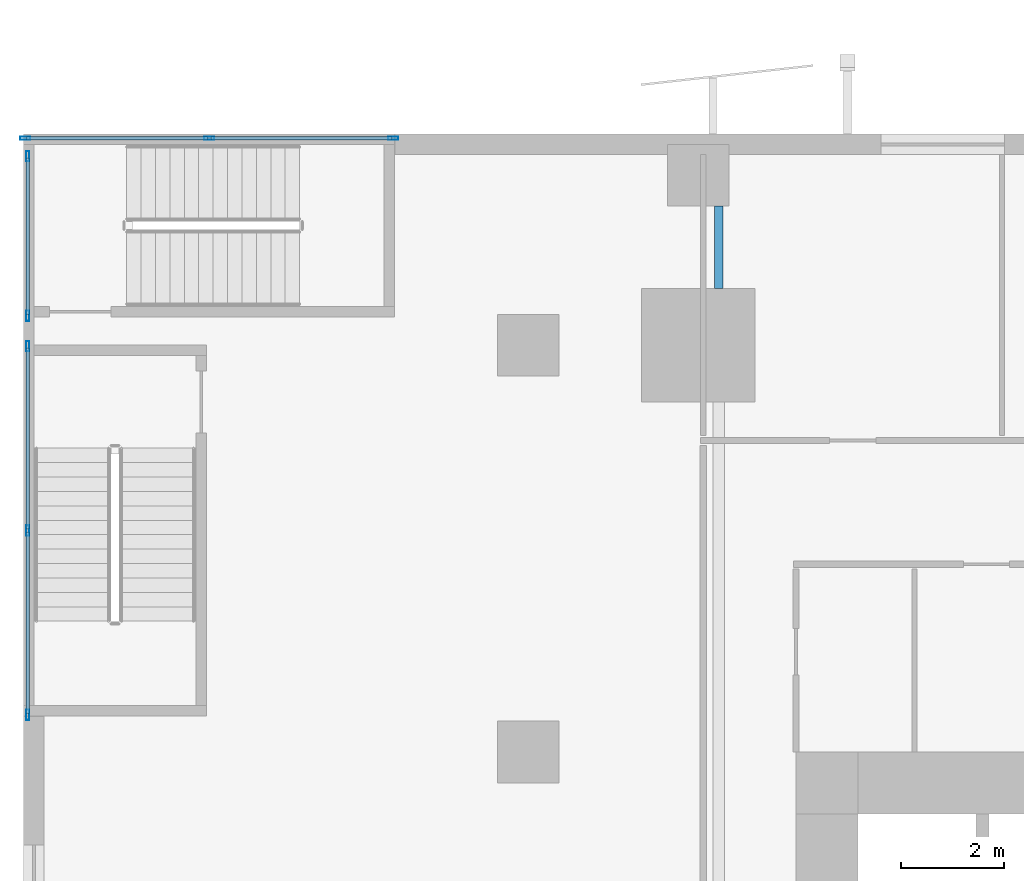
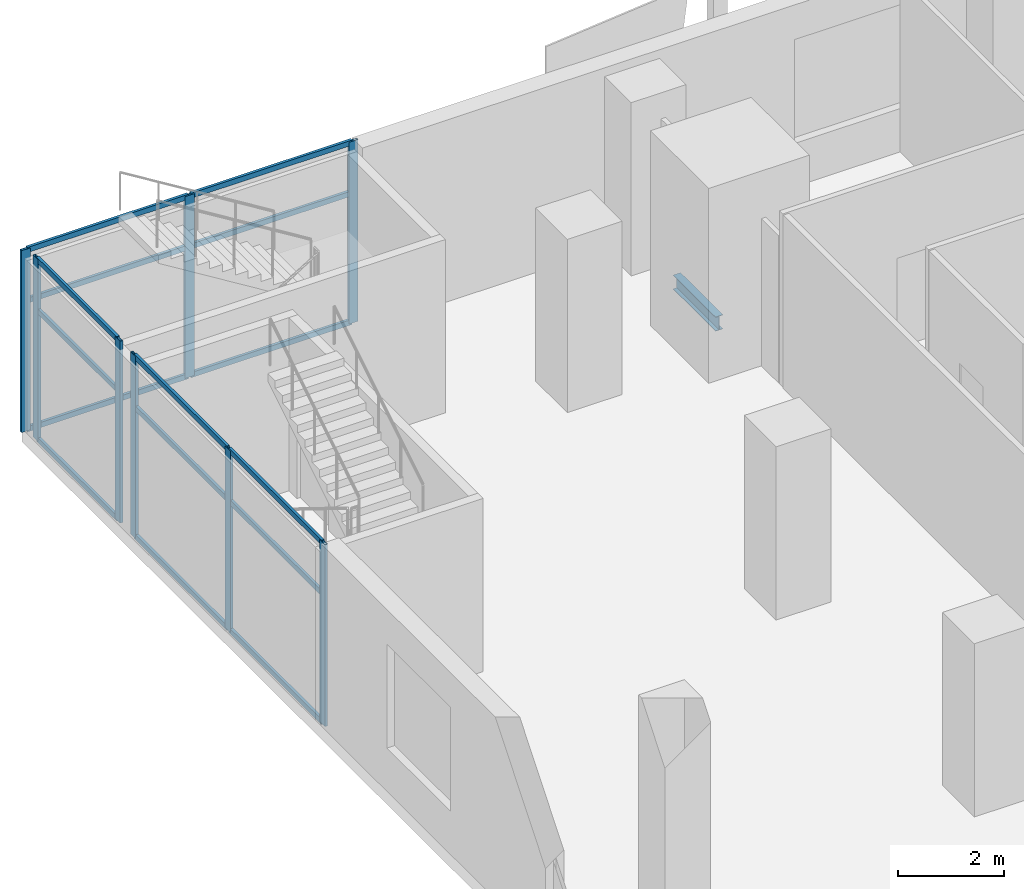
# One storey, part 4 of 21: 23 members, 1 beam, 3 elements without a shape of their own.
"""IFC4 building model written with IfcOpenShell, lengths in metres."""

import ifcopenshell
import ifcopenshell.guid

model = None  # the IFC model being written
_history = None  # IfcOwnerHistory: only IFC2X3 demands one
_inside = {}  # id of a spatial element -> (the spatial element, [elements in it])
_under = {}  # id of a project, library or spatial element -> (it, [spatial elements below it])
_declared = {}  # id of a project -> (the project, [libraries it declares])
_typed = {}  # id of a type object -> (the type object, [elements of that type])
_made_of = {}  # id of a material, layer set ... -> (it, [elements and type objects made of it])


def new_model(schema):
    """Start an empty IFC model of exactly this schema.

    Asked for "IFC4X3", IfcOpenShell would pick the latest addendum, in which some entities
    have other attributes; the version numbers below select the first issue.
    IFC2X3 requires an IfcOwnerHistory on every rooted entity: one is made here for all.
    """
    global model, _history
    if schema == "IFC4X3":
        model = ifcopenshell.file(schema_version=(4, 3, 0, 0))
    else:
        model = ifcopenshell.file(schema=schema)
    _inside.clear()
    _under.clear()
    _declared.clear()
    _typed.clear()
    _made_of.clear()
    _history = None
    if model.schema == "IFC2X3":
        org = make("IfcOrganization", Name="unknown")
        user = make(
            "IfcPersonAndOrganization",
            ThePerson=make("IfcPerson", FamilyName="unknown"),
            TheOrganization=org,
        )
        app = make(
            "IfcApplication",
            ApplicationDeveloper=org,
            Version="unknown",
            ApplicationFullName="unknown",
            ApplicationIdentifier="unknown",
        )
        _history = make(
            "IfcOwnerHistory",
            OwningUser=user,
            OwningApplication=app,
            ChangeAction="ADDED",
            CreationDate=0,
        )
    return model


def make(cls, **values):
    """One entity of the class cls with the attributes given. An attribute that is None is left unset."""
    return model.create_entity(
        cls, **{name: value for name, value in values.items() if value is not None}
    )


def rooted(cls, **values):
    """An entity with a GlobalId (a new one), such as an element, a storey or a relation."""
    return make(cls, GlobalId=ifcopenshell.guid.new(), OwnerHistory=_history, **values)


def si_unit(unit_type, name, prefix=None):
    """IfcSIUnit, for example si_unit("LENGTHUNIT", "METRE", prefix="MILLI")."""
    return make("IfcSIUnit", UnitType=unit_type, Prefix=prefix, Name=name)


def assignment(units):
    """IfcUnitAssignment: the units of a project."""
    return None if units is None else make("IfcUnitAssignment", Units=units)


def point(xyz):
    """IfcCartesianPoint."""
    return None if xyz is None else make("IfcCartesianPoint", Coordinates=xyz)


def direction(xyz):
    """IfcDirection."""
    return None if xyz is None else make("IfcDirection", DirectionRatios=xyz)


def frame(location, z_axis=None, x_axis=None):
    """IfcAxis2Placement3D, a coordinate frame: its origin and axes. An axis left out is left unset."""
    return make(
        "IfcAxis2Placement3D",
        Location=point(location),
        Axis=direction(z_axis),
        RefDirection=direction(x_axis),
    )


def frame_2d(location, x_axis=None):
    """IfcAxis2Placement2D, a coordinate frame in the plane: its origin and x axis."""
    return make(
        "IfcAxis2Placement2D", Location=point(location), RefDirection=direction(x_axis)
    )


def origin():
    """The frame at (0, 0, 0) with its axes left unset."""
    return frame((0.0, 0.0, 0.0))


def origin_2d():
    """The frame at (0, 0) in the plane with its x axis left unset."""
    return frame_2d((0.0, 0.0))


def place(relative_to, where):
    """IfcLocalPlacement: puts the frame where relative to a parent placement (None: the world)."""
    return make(
        "IfcLocalPlacement", PlacementRelTo=relative_to, RelativePlacement=where
    )


def context(
    kind, dimensions, precision=None, world=None, true_north=None, identifier=None
):
    """IfcGeometricRepresentationContext, for example the 3D "Model" context."""
    return make(
        "IfcGeometricRepresentationContext",
        ContextIdentifier=identifier,
        ContextType=kind,
        CoordinateSpaceDimension=dimensions,
        Precision=precision,
        WorldCoordinateSystem=world,
        TrueNorth=true_north,
    )


def subcontext(parent, identifier, kind, view, scale=None):
    """IfcGeometricRepresentationSubContext, for example "Body" below "Model"."""
    return make(
        "IfcGeometricRepresentationSubContext",
        ContextIdentifier=identifier,
        ContextType=kind,
        ParentContext=parent,
        TargetScale=scale,
        TargetView=view,
    )


def project(units=None, contexts=None):
    """IfcProject with its units and contexts."""
    return rooted(
        "IfcProject",
        Name="project",
        RepresentationContexts=contexts,
        UnitsInContext=assignment(units),
    )


def spatial(cls, under=None, at=None, **own):
    """A site, building, storey or space (cls), placed at a placement, below another one or the project."""
    s = rooted(cls, ObjectPlacement=at, **own)
    if under is not None:
        _under.setdefault(under.id(), (under, []))[1].append(s)
    return s


def profile(cls, at=None, kind="AREA", **sizes):
    """A parametric profile (cls). Its sizes go by their IFC names, for example OverallWidth=200.0."""
    return make(cls, ProfileType=kind, Position=at, **sizes)


def hollow_rectangle(**sizes):
    """IfcRectangleHollowProfileDef."""
    return profile("IfcRectangleHollowProfileDef", **sizes)


def i_section(**sizes):
    """IfcIShapeProfileDef."""
    return profile("IfcIShapeProfileDef", **sizes)


def extrude(swept, where, along, depth):
    """IfcExtrudedAreaSolid: the profile swept, set in the frame where, extruded along a direction by depth."""
    return make(
        "IfcExtrudedAreaSolid",
        SweptArea=swept,
        Position=where,
        ExtrudedDirection=direction(along),
        Depth=depth,
    )


def shape(context_of_items, identifier, shape_type, items):
    """IfcShapeRepresentation: the items that make up one representation, for example the "Body"."""
    return make(
        "IfcShapeRepresentation",
        ContextOfItems=context_of_items,
        RepresentationIdentifier=identifier,
        RepresentationType=shape_type,
        Items=items,
    )


def source(mapping_origin, context_of_items, identifier, shape_type, items):
    """IfcRepresentationMap: a shape defined once, which mapped items show again and again."""
    return make(
        "IfcRepresentationMap",
        MappingOrigin=mapping_origin,
        MappedRepresentation=shape(context_of_items, identifier, shape_type, items),
    )


def transform(
    local_origin,
    x_axis=None,
    y_axis=None,
    z_axis=None,
    scale=None,
    scale2=None,
    scale3=None,
    uniform=True,
):
    """IfcCartesianTransformationOperator3D, or its non-uniform kind. x_axis, y_axis, z_axis: its Axis1, 2, 3."""
    if uniform:
        return make(
            "IfcCartesianTransformationOperator3D",
            Axis1=direction(x_axis),
            Axis2=direction(y_axis),
            LocalOrigin=point(local_origin),
            Scale=scale,
            Axis3=direction(z_axis),
        )
    return make(
        "IfcCartesianTransformationOperator3DnonUniform",
        Axis1=direction(x_axis),
        Axis2=direction(y_axis),
        LocalOrigin=point(local_origin),
        Scale=scale,
        Axis3=direction(z_axis),
        Scale2=scale2,
        Scale3=scale3,
    )


def mapped(mapping_source, mapping_target):
    """IfcMappedItem: shows the shape of a source again, moved by a transform."""
    return make(
        "IfcMappedItem", MappingSource=mapping_source, MappingTarget=mapping_target
    )


def material(Name=None, Category=None):
    """IfcMaterial."""
    return make("IfcMaterial", Name=Name, Category=Category)


def material_profile(
    of_material, cross_section, Name=None, Category=None, Priority=None
):
    """IfcMaterialProfile: a cross section and its material."""
    return make(
        "IfcMaterialProfile",
        Name=Name,
        Material=of_material,
        Profile=cross_section,
        Priority=Priority,
        Category=Category,
    )


def profile_set(profiles, Name=None, composite=None):
    """IfcMaterialProfileSet."""
    return make(
        "IfcMaterialProfileSet",
        Name=Name,
        MaterialProfiles=profiles,
        CompositeProfile=composite,
    )


def made_of(thing, what):
    """Note that an element or type object is made of a material, layer set ...; save() writes the relation."""
    if what is not None:
        _made_of.setdefault(what.id(), (what, []))[1].append(thing)
    return thing


def type_object(cls, material=None, **own):
    """A type object (cls), such as IfcWallType, which elements share."""
    return made_of(rooted(cls, **own), material)


def element(
    cls,
    number,
    at=None,
    inside=None,
    cuts=None,
    type_object=None,
    material=None,
    context=None,
    identifier="Body",
    shape_type=None,
    held_by="IfcProductDefinitionShape",
    body=None,
    shapes=None,
    **own,
):
    """One element of the class cls, such as IfcWall. Its Tag is "e" and its number.

    at: its placement. inside: the storey or other place that contains it. cuts: it is an
    opening in that element (IfcRelVoidsElement). A single representation is given by context,
    identifier, shape_type and body (its items); several are given by shapes. held_by: the class
    of the entity that holds the representations. save() writes the other relations.
    """
    e = rooted(cls, Tag="e%d" % number, ObjectPlacement=at, **own)
    if body is not None:
        shapes = [shape(context, identifier, shape_type, body)]
    if shapes is not None:
        e.Representation = make(held_by, Representations=shapes)
    if inside is not None:
        _inside.setdefault(inside.id(), (inside, []))[1].append(e)
    if cuts is not None:
        rooted(
            "IfcRelVoidsElement", RelatingBuildingElement=cuts, RelatedOpeningElement=e
        )
    if type_object is not None:
        _typed.setdefault(type_object.id(), (type_object, []))[1].append(e)
    return made_of(e, material)


def aggregate(whole, parts):
    """IfcRelAggregates: a whole, such as a stair, and the parts it consists of."""
    return rooted("IfcRelAggregates", RelatingObject=whole, RelatedObjects=parts)


def save(model, path):
    """Write the relations noted so far, then the file.

    IfcRelAggregates (storeys below a building ...), IfcRelContainedInSpatialStructure (elements
    in a storey), IfcRelDefinesByType, IfcRelAssociatesMaterial and IfcRelDeclares: one each for
    every whole, place, type object, material and project.
    """
    for whole, parts in _under.values():
        aggregate(whole, parts)
    for where, things in _inside.values():
        rooted(
            "IfcRelContainedInSpatialStructure",
            RelatedElements=things,
            RelatingStructure=where,
        )
    for kind, things in _typed.values():
        rooted("IfcRelDefinesByType", RelatedObjects=things, RelatingType=kind)
    for what, things in _made_of.values():
        rooted("IfcRelAssociatesMaterial", RelatedObjects=things, RelatingMaterial=what)
    for by, libraries in _declared.values():
        rooted("IfcRelDeclares", RelatingContext=by, RelatedDefinitions=libraries)
    model.write(path)


model = new_model("IFC4")

# Units and contexts
model_context = context("Model", 3, precision=1e-05, world=origin(), true_north=direction((0.0, 1.0)))
body_context = subcontext(model_context, "Body", "Model", "MODEL_VIEW")
ifc_project = project(units=[si_unit("LENGTHUNIT", "METRE"), si_unit("AREAUNIT", "SQUARE_METRE"), si_unit("VOLUMEUNIT", "CUBIC_METRE"), si_unit("PLANEANGLEUNIT", "RADIAN"), si_unit("MASSUNIT", "GRAM", prefix="KILO")], contexts=[model_context])

# Site, building, storey
site_placement = place(None, origin())
site = spatial("IfcSite", under=ifc_project, at=site_placement, CompositionType="ELEMENT")
building_placement = place(site_placement, origin())
building = spatial("IfcBuilding", under=site, at=building_placement, Name="Khomas Fold Tower", CompositionType="ELEMENT")
storey_placement = place(building_placement, frame((0.0, 0.0, 28.5)))
storey = spatial("IfcBuildingStorey", under=building, at=storey_placement, Name="L05", CompositionType="ELEMENT", Elevation=28.5)

# Beam
ifc_material_1 = material(Name="Steel S355", Category="steel")
ifc_material_profile_1 = material_profile(ifc_material_1, i_section(OverallWidth=0.159912109375, OverallDepth=0.330078125, WebThickness=0.007568359375, FlangeThickness=0.011474609375, at=origin_2d()), Name="IPE 330")
ifc_profile_set_1 = profile_set([ifc_material_profile_1], Name="Steel S355")
beam_type = type_object("IfcBeamType", Name="IPE 330 beam JB1", PredefinedType="BEAM", material=ifc_profile_set_1)
shared_shape_1 = source(origin(), body_context, "Body", "SweptSolid", [
    extrude(i_section(OverallWidth=0.159912109375, OverallDepth=0.330078125, WebThickness=0.007568359375, FlangeThickness=0.011474609375, at=origin_2d()), origin(), (0.0, 0.0, 1.0), 1.60009765625),
])
beam_placement = place(storey_placement, frame((4.5, 51.0, -0.465087890625), z_axis=(0.0, 1.0, 0.0), x_axis=(-1.0, 0.0, 0.0)))
element("IfcBeam", 1, at=beam_placement, inside=storey, type_object=beam_type, Name="JB1", PredefinedType="BEAM", context=body_context, shape_type="MappedRepresentation", body=[
    mapped(shared_shape_1, transform((0.0, 0.0, 0.0))),
])

# Curtain wall, members
ifc_material_2 = material(Name="Aluminium framed double glazing", Category="aluminium")
curtain_wall_type = type_object("IfcCurtainWallType", Name="Shopfront glazing PD-CW", PredefinedType="NOTDEFINED", material=ifc_material_2)
curtain_wall_1_placement = place(storey_placement, origin())
curtain_wall_1 = element("IfcCurtainWall", 2, at=curtain_wall_1_placement, inside=storey, type_object=curtain_wall_type, Name="Podium stair-tower glazing", PredefinedType="NOTDEFINED")
ifc_material_3 = material(Name="Aluminium", Category="aluminium")
ifc_material_profile_2 = material_profile(ifc_material_3, hollow_rectangle(XDim=0.06005859375, YDim=0.1201171875, WallThickness=0.00390625, at=origin_2d()), Name="Shopfront glazing transom PD-CW-T")
ifc_profile_set_2 = profile_set([ifc_material_profile_2], Name="Aluminium")
member_type_1 = type_object("IfcMemberType", Name="Shopfront glazing transom PD-CW-T", PredefinedType="USERDEFINED", material=ifc_profile_set_2)
shared_shape_2 = source(origin(), body_context, "Body", "SweptSolid", [
    extrude(hollow_rectangle(XDim=0.06005859375, YDim=0.1201171875, WallThickness=0.00390625, at=origin_2d()), origin(), (0.0, 0.0, 1.0), 3.0400390625),
])
member_1_placement = place(storey_placement, frame((-8.919921875, 53.5400390625, 0.030029296875), z_axis=(0.0, -1.0, 0.0), x_axis=(1.0, 0.0, 0.0)))
member_1 = element("IfcMember", 3, at=member_1_placement, type_object=member_type_1, Name="PD-CW transom 1.1", ObjectType="TRANSOM", PredefinedType="USERDEFINED", context=body_context, shape_type="MappedRepresentation", body=[
    mapped(shared_shape_2, transform((0.0, 0.0, 0.0))),
])
member_2_placement = place(storey_placement, frame((-8.919921875, 53.5400390625, 3.0), z_axis=(0.0, -1.0, 0.0), x_axis=(1.0, 0.0, 0.0)))
member_2 = element("IfcMember", 4, at=member_2_placement, type_object=member_type_1, Name="PD-CW transom 1.2", ObjectType="TRANSOM", PredefinedType="USERDEFINED", context=body_context, shape_type="MappedRepresentation", body=[
    mapped(shared_shape_2, transform((0.0, 0.0, 0.0))),
])
member_3_placement = place(storey_placement, frame((-8.919921875, 53.5400390625, 4.169921875), z_axis=(0.0, -1.0, 0.0), x_axis=(1.0, 0.0, 0.0)))
member_3 = element("IfcMember", 5, at=member_3_placement, type_object=member_type_1, Name="PD-CW transom 1.3", ObjectType="TRANSOM", PredefinedType="USERDEFINED", context=body_context, shape_type="MappedRepresentation", body=[
    mapped(shared_shape_2, transform((0.0, 0.0, 0.0))),
])

curtain_wall_2_placement = place(storey_placement, origin())
curtain_wall_2 = element("IfcCurtainWall", 6, at=curtain_wall_2_placement, inside=storey, type_object=curtain_wall_type, Name="Podium stair-tower glazing", PredefinedType="NOTDEFINED")
shared_shape_3 = source(origin(), body_context, "Body", "SweptSolid", [
    extrude(hollow_rectangle(XDim=0.06005859375, YDim=0.1201171875, WallThickness=0.00390625, at=origin_2d()), origin(), (0.0, 0.0, 1.0), 3.52001953125),
])
member_4_placement = place(storey_placement, frame((-8.919921875, 49.85009765625, 0.030029296875), z_axis=(0.0, -1.0, 0.0), x_axis=(1.0, 0.0, 0.0)))
member_4 = element("IfcMember", 7, at=member_4_placement, type_object=member_type_1, Name="PD-CW transom 1.1", ObjectType="TRANSOM", PredefinedType="USERDEFINED", context=body_context, shape_type="MappedRepresentation", body=[
    mapped(shared_shape_3, transform((0.0, 0.0, 0.0))),
])
member_5_placement = place(storey_placement, frame((-8.919921875, 49.85009765625, 3.0), z_axis=(0.0, -1.0, 0.0), x_axis=(1.0, 0.0, 0.0)))
member_5 = element("IfcMember", 8, at=member_5_placement, type_object=member_type_1, Name="PD-CW transom 1.2", ObjectType="TRANSOM", PredefinedType="USERDEFINED", context=body_context, shape_type="MappedRepresentation", body=[
    mapped(shared_shape_3, transform((0.0, 0.0, 0.0))),
])
member_6_placement = place(storey_placement, frame((-8.919921875, 49.85009765625, 4.169921875), z_axis=(0.0, -1.0, 0.0), x_axis=(1.0, 0.0, 0.0)))
member_6 = element("IfcMember", 9, at=member_6_placement, type_object=member_type_1, Name="PD-CW transom 1.3", ObjectType="TRANSOM", PredefinedType="USERDEFINED", context=body_context, shape_type="MappedRepresentation", body=[
    mapped(shared_shape_3, transform((0.0, 0.0, 0.0))),
])
member_7_placement = place(storey_placement, frame((-8.919921875, 46.27001953125, 0.030029296875), z_axis=(0.0, -1.0, 0.0), x_axis=(1.0, 0.0, 0.0)))
member_7 = element("IfcMember", 10, at=member_7_placement, type_object=member_type_1, Name="PD-CW transom 2.1", ObjectType="TRANSOM", PredefinedType="USERDEFINED", context=body_context, shape_type="MappedRepresentation", body=[
    mapped(shared_shape_3, transform((0.0, 0.0, 0.0))),
])
member_8_placement = place(storey_placement, frame((-8.919921875, 46.27001953125, 3.0), z_axis=(0.0, -1.0, 0.0), x_axis=(1.0, 0.0, 0.0)))
member_8 = element("IfcMember", 11, at=member_8_placement, type_object=member_type_1, Name="PD-CW transom 2.2", ObjectType="TRANSOM", PredefinedType="USERDEFINED", context=body_context, shape_type="MappedRepresentation", body=[
    mapped(shared_shape_3, transform((0.0, 0.0, 0.0))),
])
member_9_placement = place(storey_placement, frame((-8.919921875, 46.27001953125, 4.169921875), z_axis=(0.0, -1.0, 0.0), x_axis=(1.0, 0.0, 0.0)))
member_9 = element("IfcMember", 12, at=member_9_placement, type_object=member_type_1, Name="PD-CW transom 2.3", ObjectType="TRANSOM", PredefinedType="USERDEFINED", context=body_context, shape_type="MappedRepresentation", body=[
    mapped(shared_shape_3, transform((0.0, 0.0, 0.0))),
])

curtain_wall_3_placement = place(storey_placement, origin())
curtain_wall_3 = element("IfcCurtainWall", 13, at=curtain_wall_3_placement, inside=storey, type_object=curtain_wall_type, Name="Podium stair-tower glazing", PredefinedType="NOTDEFINED")
shared_shape_4 = source(origin(), body_context, "Body", "SweptSolid", [
    extrude(hollow_rectangle(XDim=0.06005859375, YDim=0.1201171875, WallThickness=0.00390625, at=origin_2d()), origin(), (0.0, 0.0, 1.0), 3.514892578125),
])
member_10_placement = place(storey_placement, frame((-1.85009765625, 53.919921875, 0.030029296875), z_axis=(-1.0, 0.0, 0.0), x_axis=(0.0, -1.0, 0.0)))
member_10 = element("IfcMember", 14, at=member_10_placement, type_object=member_type_1, Name="PD-CW transom 1.1", ObjectType="TRANSOM", PredefinedType="USERDEFINED", context=body_context, shape_type="MappedRepresentation", body=[
    mapped(shared_shape_4, transform((0.0, 0.0, 0.0))),
])
member_11_placement = place(storey_placement, frame((-1.85009765625, 53.919921875, 3.0), z_axis=(-1.0, 0.0, 0.0), x_axis=(0.0, -1.0, 0.0)))
member_11 = element("IfcMember", 15, at=member_11_placement, type_object=member_type_1, Name="PD-CW transom 1.2", ObjectType="TRANSOM", PredefinedType="USERDEFINED", context=body_context, shape_type="MappedRepresentation", body=[
    mapped(shared_shape_4, transform((0.0, 0.0, 0.0))),
])
member_12_placement = place(storey_placement, frame((-1.85009765625, 53.919921875, 4.169921875), z_axis=(-1.0, 0.0, 0.0), x_axis=(0.0, -1.0, 0.0)))
member_12 = element("IfcMember", 16, at=member_12_placement, type_object=member_type_1, Name="PD-CW transom 1.3", ObjectType="TRANSOM", PredefinedType="USERDEFINED", context=body_context, shape_type="MappedRepresentation", body=[
    mapped(shared_shape_4, transform((0.0, 0.0, 0.0))),
])
member_13_placement = place(storey_placement, frame((-5.425048828125, 53.919921875, 0.030029296875), z_axis=(-1.0, 0.0, 0.0), x_axis=(0.0, -1.0, 0.0)))
member_13 = element("IfcMember", 17, at=member_13_placement, type_object=member_type_1, Name="PD-CW transom 2.1", ObjectType="TRANSOM", PredefinedType="USERDEFINED", context=body_context, shape_type="MappedRepresentation", body=[
    mapped(shared_shape_4, transform((0.0, 0.0, 0.0))),
])
member_14_placement = place(storey_placement, frame((-5.425048828125, 53.919921875, 3.0), z_axis=(-1.0, 0.0, 0.0), x_axis=(0.0, -1.0, 0.0)))
member_14 = element("IfcMember", 18, at=member_14_placement, type_object=member_type_1, Name="PD-CW transom 2.2", ObjectType="TRANSOM", PredefinedType="USERDEFINED", context=body_context, shape_type="MappedRepresentation", body=[
    mapped(shared_shape_4, transform((0.0, 0.0, 0.0))),
])
member_15_placement = place(storey_placement, frame((-5.425048828125, 53.919921875, 4.169921875), z_axis=(-1.0, 0.0, 0.0), x_axis=(0.0, -1.0, 0.0)))
member_15 = element("IfcMember", 19, at=member_15_placement, type_object=member_type_1, Name="PD-CW transom 2.3", ObjectType="TRANSOM", PredefinedType="USERDEFINED", context=body_context, shape_type="MappedRepresentation", body=[
    mapped(shared_shape_4, transform((0.0, 0.0, 0.0))),
])

# Member
ifc_material_4 = material(Name="Aluminium", Category="aluminium")
ifc_material_profile_3 = material_profile(ifc_material_4, hollow_rectangle(XDim=0.06005859375, YDim=0.199951171875, WallThickness=0.00390625, at=origin_2d()), Name="Shopfront glazing mullion PD-CW-M")
ifc_profile_set_3 = profile_set([ifc_material_profile_3], Name="Aluminium")
member_type_2 = type_object("IfcMemberType", Name="Shopfront glazing mullion PD-CW-M", PredefinedType="MULLION", material=ifc_profile_set_3)
shared_shape_5 = source(origin(), body_context, "Body", "SweptSolid", [
    extrude(hollow_rectangle(XDim=0.06005859375, YDim=0.199951171875, WallThickness=0.00390625, at=origin_2d()), origin(), (0.0, 0.0, 1.0), 4.199951171875),
])
member_16_placement = place(storey_placement, frame((-8.919921875, 53.570068359375, 0.0), z_axis=(0.0, 0.0, 1.0), x_axis=(1.0, 0.0, 0.0)))
member_16 = element("IfcMember", 20, at=member_16_placement, type_object=member_type_2, Name="PD-CW mullion 1", PredefinedType="MULLION", context=body_context, shape_type="MappedRepresentation", body=[
    mapped(shared_shape_5, transform((0.0, 0.0, 0.0))),
])

member_17_placement = place(storey_placement, frame((-8.919921875, 50.469970703125, 0.0), z_axis=(0.0, 0.0, 1.0), x_axis=(1.0, 0.0, 0.0)))
member_17 = element("IfcMember", 21, at=member_17_placement, type_object=member_type_2, Name="PD-CW mullion 2", PredefinedType="MULLION", context=body_context, shape_type="MappedRepresentation", body=[
    mapped(shared_shape_5, transform((0.0, 0.0, 0.0))),
])

aggregate(curtain_wall_1, [member_16, member_17, member_1, member_2, member_3])

member_18_placement = place(storey_placement, frame((-8.919921875, 49.8798828125, 0.0), z_axis=(0.0, 0.0, 1.0), x_axis=(1.0, 0.0, 0.0)))
member_18 = element("IfcMember", 22, at=member_18_placement, type_object=member_type_2, Name="PD-CW mullion 1", PredefinedType="MULLION", context=body_context, shape_type="MappedRepresentation", body=[
    mapped(shared_shape_5, transform((0.0, 0.0, 0.0))),
])

member_19_placement = place(storey_placement, frame((-8.919921875, 46.300048828125, 0.0), z_axis=(0.0, 0.0, 1.0), x_axis=(1.0, 0.0, 0.0)))
member_19 = element("IfcMember", 23, at=member_19_placement, type_object=member_type_2, Name="PD-CW mullion 2", PredefinedType="MULLION", context=body_context, shape_type="MappedRepresentation", body=[
    mapped(shared_shape_5, transform((0.0, 0.0, 0.0))),
])

member_20_placement = place(storey_placement, frame((-8.919921875, 42.719970703125, 0.0), z_axis=(0.0, 0.0, 1.0), x_axis=(1.0, 0.0, 0.0)))
member_20 = element("IfcMember", 24, at=member_20_placement, type_object=member_type_2, Name="PD-CW mullion 3", PredefinedType="MULLION", context=body_context, shape_type="MappedRepresentation", body=[
    mapped(shared_shape_5, transform((0.0, 0.0, 0.0))),
])

aggregate(curtain_wall_2, [member_18, member_19, member_20, member_4, member_5, member_6, member_7, member_8, member_9])

member_21_placement = place(storey_placement, frame((-1.820068359375, 53.919921875, 0.0), z_axis=(0.0, 0.0, 1.0), x_axis=(0.0, -1.0, 0.0)))
member_21 = element("IfcMember", 25, at=member_21_placement, type_object=member_type_2, Name="PD-CW mullion 1", PredefinedType="MULLION", context=body_context, shape_type="MappedRepresentation", body=[
    mapped(shared_shape_5, transform((0.0, 0.0, 0.0))),
])

member_22_placement = place(storey_placement, frame((-5.39501953125, 53.919921875, 0.0), z_axis=(0.0, 0.0, 1.0), x_axis=(0.0, -1.0, 0.0)))
member_22 = element("IfcMember", 26, at=member_22_placement, type_object=member_type_2, Name="PD-CW mullion 2", PredefinedType="MULLION", context=body_context, shape_type="MappedRepresentation", body=[
    mapped(shared_shape_5, transform((0.0, 0.0, 0.0))),
])

member_23_placement = place(storey_placement, frame((-8.969970703125, 53.919921875, 0.0), z_axis=(0.0, 0.0, 1.0), x_axis=(0.0, -1.0, 0.0)))
member_23 = element("IfcMember", 27, at=member_23_placement, type_object=member_type_2, Name="PD-CW mullion 3", PredefinedType="MULLION", context=body_context, shape_type="MappedRepresentation", body=[
    mapped(shared_shape_5, transform((0.0, 0.0, 0.0))),
])

aggregate(curtain_wall_3, [member_21, member_22, member_23, member_10, member_11, member_12, member_13, member_14, member_15])

save(model, "model.ifc")
